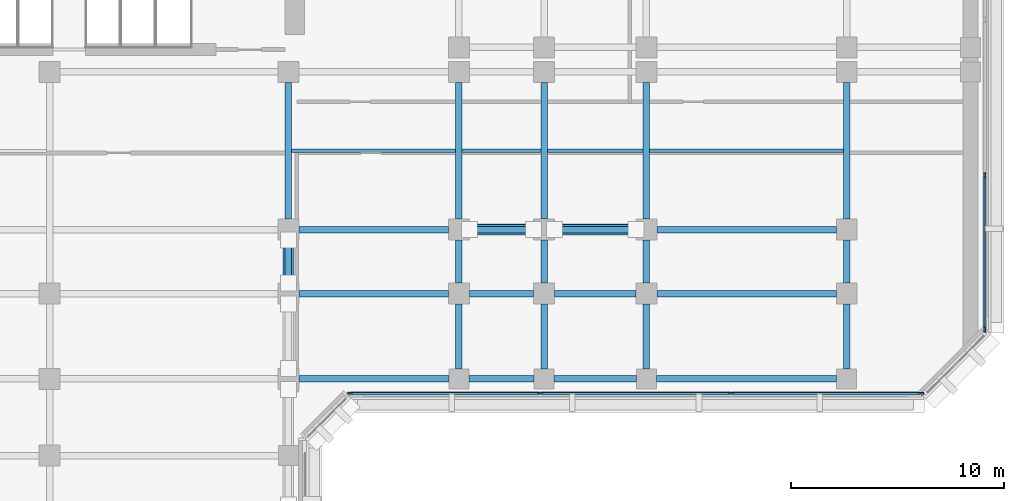
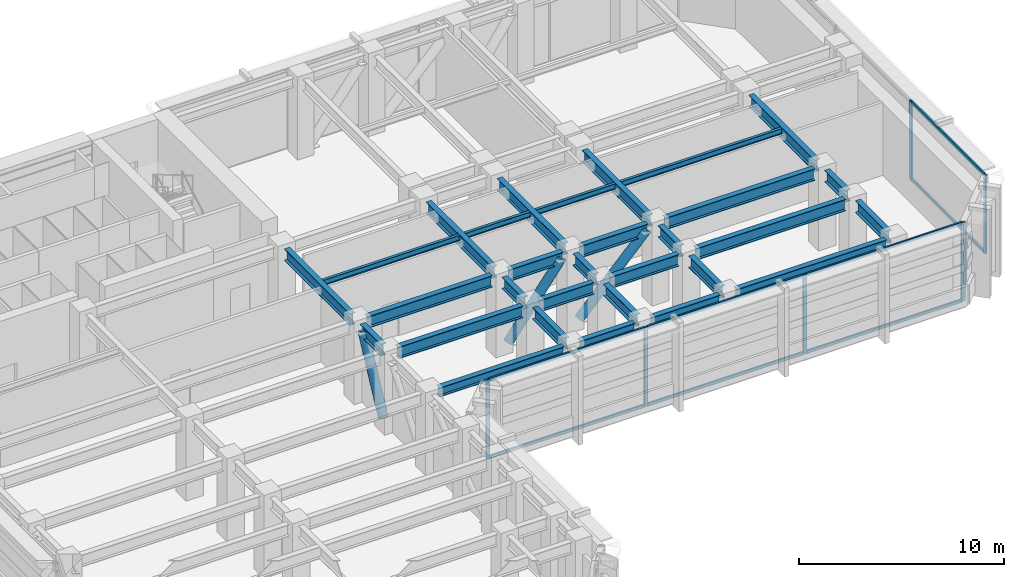
# One storey, part 3 of 13: 30 beams, 17 members, 2 elements without a shape of their own.
"""IFC4 building model written with IfcOpenShell, lengths in metres."""

from ifc_helpers import new_model, si_unit, direction, frame, origin, origin_2d, place, context, subcontext, project, spatial, rectangle, hollow_circle, i_section, extrude, material, layer, layer_set, material_profile, profile_set, type_object, element, aggregate, save


model = new_model("IFC4")

# Units and contexts
model_context = context("Model", 3, precision=1e-05, world=origin(), true_north=direction((0.0, 1.0)))
body_context = subcontext(model_context, "Body", "Model", "MODEL_VIEW")
ifc_project = project(units=[si_unit("LENGTHUNIT", "METRE"), si_unit("AREAUNIT", "SQUARE_METRE"), si_unit("VOLUMEUNIT", "CUBIC_METRE"), si_unit("PLANEANGLEUNIT", "RADIAN"), si_unit("MASSUNIT", "GRAM", prefix="KILO")], contexts=[model_context])

# Site, building, storey
site_placement = place(None, origin())
site = spatial("IfcSite", under=ifc_project, at=site_placement, CompositionType="ELEMENT")
building_placement = place(site_placement, origin())
building = spatial("IfcBuilding", under=site, at=building_placement, Name="Kefirva Bronze Tower", CompositionType="ELEMENT")
storey_placement = place(building_placement, frame((0.0, 0.0, 93.719970703125)))
storey = spatial("IfcBuildingStorey", under=building, at=storey_placement, Name="L22", CompositionType="ELEMENT", Elevation=93.719970703125)

# Curtain wall, members
ifc_material_1 = material(Name="Bronze anodised aluminium", Category="aluminium")
ifc_layer = layer(ifc_material_1, 0.219970703125, Name="Bronze anodised aluminium")
ifc_layer_set = layer_set([ifc_layer], Name="Bronze anodised aluminium")
curtain_wall_type = type_object("IfcCurtainWallType", Name="Refuge Acoustic Louvre Curtain Screen", PredefinedType="USERDEFINED", material=ifc_layer_set)
curtain_wall_1_placement = place(storey_placement, origin())
curtain_wall_1 = element("IfcCurtainWall", 1, at=curtain_wall_1_placement, inside=storey, type_object=curtain_wall_type, Name="L22 Curtain Wall 2", ObjectType="LOUVRE SCREEN WALL", PredefinedType="USERDEFINED")
ifc_material_profile_1 = material_profile(ifc_material_1, rectangle(XDim=0.090087890625, YDim=0.219970703125, at=origin_2d()), Name="ALU 90x220")
ifc_profile_set_1 = profile_set([ifc_material_profile_1], Name="Bronze anodised aluminium")
member_type_1 = type_object("IfcMemberType", Name="Bronze Mullion 90x220", PredefinedType="MULLION", material=ifc_profile_set_1)
member_1_placement = place(storey_placement, frame((26.10009765625, 18.1201171875, 0.0), z_axis=(0.0, 0.0, 1.0), x_axis=(0.0, 1.0, 0.0)))
member_1 = element("IfcMember", 2, at=member_1_placement, type_object=member_type_1, Name="CW-06 mullion 1", PredefinedType="MULLION", context=body_context, shape_type="SweptSolid", body=[
    extrude(rectangle(XDim=0.090087890625, YDim=0.219970703125, at=origin_2d()), origin(), (0.0, 0.0, 1.0), 4.699951171875),
])
member_2_placement = place(storey_placement, frame((35.018310546875, 18.1201171875, 0.0), z_axis=(0.0, 0.0, 1.0), x_axis=(0.0, 1.0, 0.0)))
member_2 = element("IfcMember", 3, at=member_2_placement, type_object=member_type_1, Name="CW-06 mullion 2", PredefinedType="MULLION", context=body_context, shape_type="SweptSolid", body=[
    extrude(rectangle(XDim=0.090087890625, YDim=0.219970703125, at=origin_2d()), origin(), (0.0, 0.0, 1.0), 4.699951171875),
])
member_3_placement = place(storey_placement, frame((43.981689453125, 18.1201171875, 0.0), z_axis=(0.0, 0.0, 1.0), x_axis=(0.0, 1.0, 0.0)))
member_3 = element("IfcMember", 4, at=member_3_placement, type_object=member_type_1, Name="CW-06 mullion 3", PredefinedType="MULLION", context=body_context, shape_type="SweptSolid", body=[
    extrude(rectangle(XDim=0.090087890625, YDim=0.219970703125, at=origin_2d()), origin(), (0.0, 0.0, 1.0), 4.699951171875),
])
member_4_placement = place(storey_placement, frame((52.89990234375, 18.1201171875, 0.0), z_axis=(0.0, 0.0, 1.0), x_axis=(0.0, 1.0, 0.0)))
member_4 = element("IfcMember", 5, at=member_4_placement, type_object=member_type_1, Name="CW-06 mullion 4", PredefinedType="MULLION", context=body_context, shape_type="SweptSolid", body=[
    extrude(rectangle(XDim=0.090087890625, YDim=0.219970703125, at=origin_2d()), origin(), (0.0, 0.0, 1.0), 4.699951171875),
])

curtain_wall_2_placement = place(storey_placement, origin())
curtain_wall_2 = element("IfcCurtainWall", 6, at=curtain_wall_2_placement, inside=storey, type_object=curtain_wall_type, Name="L22 Curtain Wall 3", ObjectType="LOUVRE SCREEN WALL", PredefinedType="USERDEFINED")
member_5_placement = place(storey_placement, frame((55.8798828125, 21.10009765625, 0.0), z_axis=(0.0, 0.0, 1.0), x_axis=(-1.0, 0.0, 0.0)))
member_5 = element("IfcMember", 7, at=member_5_placement, type_object=member_type_1, Name="CW-06 mullion 1", PredefinedType="MULLION", context=body_context, shape_type="SweptSolid", body=[
    extrude(rectangle(XDim=0.090087890625, YDim=0.219970703125, at=origin_2d()), origin(), (0.0, 0.0, 1.0), 4.699951171875),
])
member_6_placement = place(storey_placement, frame((55.8798828125, 28.3515625, 0.0), z_axis=(0.0, 0.0, 1.0), x_axis=(-1.0, 0.0, 0.0)))
member_6 = element("IfcMember", 8, at=member_6_placement, type_object=member_type_1, Name="CW-06 mullion 2", PredefinedType="MULLION", context=body_context, shape_type="SweptSolid", body=[
    extrude(rectangle(XDim=0.090087890625, YDim=0.219970703125, at=origin_2d()), origin(), (0.0, 0.0, 1.0), 4.699951171875),
])

# Member
ifc_material_profile_2 = material_profile(ifc_material_1, rectangle(XDim=0.090087890625, YDim=0.179931640625, at=origin_2d()), Name="ALU 90x180")
ifc_profile_set_2 = profile_set([ifc_material_profile_2], Name="Bronze anodised aluminium")
member_type_2 = type_object("IfcMemberType", Name="Bronze Transom 90x180", PredefinedType="USERDEFINED", material=ifc_profile_set_2)
member_7_placement = place(storey_placement, frame((26.14501953125, 18.1201171875, 0.044921875), z_axis=(1.0, 0.0, 0.0), x_axis=(0.0, 1.0, 0.0)))
member_7 = element("IfcMember", 9, at=member_7_placement, type_object=member_type_2, Name="CW-06 transom 1.1", ObjectType="TRANSOM", PredefinedType="USERDEFINED", context=body_context, shape_type="SweptSolid", body=[
    extrude(rectangle(XDim=0.090087890625, YDim=0.179931640625, at=origin_2d()), origin(), (0.0, 0.0, 1.0), 8.828369140625),
])

member_8_placement = place(storey_placement, frame((26.14501953125, 18.1201171875, 4.655029296875), z_axis=(1.0, 0.0, 0.0), x_axis=(0.0, 1.0, 0.0)))
member_8 = element("IfcMember", 10, at=member_8_placement, type_object=member_type_2, Name="CW-06 transom 1.2", ObjectType="TRANSOM", PredefinedType="USERDEFINED", context=body_context, shape_type="SweptSolid", body=[
    extrude(rectangle(XDim=0.090087890625, YDim=0.179931640625, at=origin_2d()), origin(), (0.0, 0.0, 1.0), 8.828369140625),
])

member_9_placement = place(storey_placement, frame((35.063232421875, 18.1201171875, 0.044921875), z_axis=(1.0, 0.0, 0.0), x_axis=(0.0, 1.0, 0.0)))
member_9 = element("IfcMember", 11, at=member_9_placement, type_object=member_type_2, Name="CW-06 transom 2.1", ObjectType="TRANSOM", PredefinedType="USERDEFINED", context=body_context, shape_type="SweptSolid", body=[
    extrude(rectangle(XDim=0.090087890625, YDim=0.179931640625, at=origin_2d()), origin(), (0.0, 0.0, 1.0), 8.87353515625),
])

member_10_placement = place(storey_placement, frame((35.063232421875, 18.1201171875, 4.655029296875), z_axis=(1.0, 0.0, 0.0), x_axis=(0.0, 1.0, 0.0)))
member_10 = element("IfcMember", 12, at=member_10_placement, type_object=member_type_2, Name="CW-06 transom 2.2", ObjectType="TRANSOM", PredefinedType="USERDEFINED", context=body_context, shape_type="SweptSolid", body=[
    extrude(rectangle(XDim=0.090087890625, YDim=0.179931640625, at=origin_2d()), origin(), (0.0, 0.0, 1.0), 8.87353515625),
])

member_11_placement = place(storey_placement, frame((44.026611328125, 18.1201171875, 0.044921875), z_axis=(1.0, 0.0, 0.0), x_axis=(0.0, 1.0, 0.0)))
member_11 = element("IfcMember", 13, at=member_11_placement, type_object=member_type_2, Name="CW-06 transom 3.1", ObjectType="TRANSOM", PredefinedType="USERDEFINED", context=body_context, shape_type="SweptSolid", body=[
    extrude(rectangle(XDim=0.090087890625, YDim=0.179931640625, at=origin_2d()), origin(), (0.0, 0.0, 1.0), 8.828369140625),
])

member_12_placement = place(storey_placement, frame((44.026611328125, 18.1201171875, 4.655029296875), z_axis=(1.0, 0.0, 0.0), x_axis=(0.0, 1.0, 0.0)))
member_12 = element("IfcMember", 14, at=member_12_placement, type_object=member_type_2, Name="CW-06 transom 3.2", ObjectType="TRANSOM", PredefinedType="USERDEFINED", context=body_context, shape_type="SweptSolid", body=[
    extrude(rectangle(XDim=0.090087890625, YDim=0.179931640625, at=origin_2d()), origin(), (0.0, 0.0, 1.0), 8.828369140625),
])

aggregate(curtain_wall_1, [member_1, member_2, member_3, member_4, member_7, member_8, member_9, member_10, member_11, member_12])

member_13_placement = place(storey_placement, frame((55.8798828125, 21.14501953125, 0.044921875), z_axis=(0.0, 1.0, 0.0), x_axis=(-1.0, 0.0, 0.0)))
member_13 = element("IfcMember", 15, at=member_13_placement, type_object=member_type_2, Name="CW-06 transom 1.1", ObjectType="TRANSOM", PredefinedType="USERDEFINED", context=body_context, shape_type="SweptSolid", body=[
    extrude(rectangle(XDim=0.090087890625, YDim=0.179931640625, at=origin_2d()), origin(), (0.0, 0.0, 1.0), 7.16162109375),
])

member_14_placement = place(storey_placement, frame((55.8798828125, 21.14501953125, 4.655029296875), z_axis=(0.0, 1.0, 0.0), x_axis=(-1.0, 0.0, 0.0)))
member_14 = element("IfcMember", 16, at=member_14_placement, type_object=member_type_2, Name="CW-06 transom 1.2", ObjectType="TRANSOM", PredefinedType="USERDEFINED", context=body_context, shape_type="SweptSolid", body=[
    extrude(rectangle(XDim=0.090087890625, YDim=0.179931640625, at=origin_2d()), origin(), (0.0, 0.0, 1.0), 7.16162109375),
])

aggregate(curtain_wall_2, [member_5, member_6, member_13, member_14])

# Members
ifc_material_2 = material(Name="Steel S460", Category="steel")
ifc_material_profile_3 = material_profile(ifc_material_2, hollow_circle(Radius=0.25390625, WallThickness=0.02001953125, at=origin_2d()), Name="CHS 508x20")
ifc_profile_set_3 = profile_set([ifc_material_profile_3], Name="Steel S460")
member_type_3 = type_object("IfcMemberType", Name="Steel Belt Brace CHS 508x20", PredefinedType="BRACE", material=ifc_profile_set_3)
member_15_placement = place(storey_placement, frame((23.199951171875, 23.2900390625, 0.300048828125), z_axis=(0.0, 0.450784044164, 0.8926330408), x_axis=(-1.0, 0.0, 0.0)))
element("IfcMember", 17, at=member_15_placement, inside=storey, type_object=member_type_3, Name="L22 Outrigger Belt Brace 7", PredefinedType="BRACE", context=body_context, shape_type="SweptSolid", body=[
    extrude(hollow_circle(Radius=0.25390625, WallThickness=0.02001953125, at=origin_2d()), origin(), (0.0, 0.0, 1.0), 4.481201171875),
])
member_16_placement = place(storey_placement, frame((31.68994140625, 25.800048828125, 0.300048828125), z_axis=(0.602553282453, 0.0, 0.798078656403), x_axis=(0.0, 1.0, 0.0)))
element("IfcMember", 18, at=member_16_placement, inside=storey, type_object=member_type_3, Name="L22 Outrigger Belt Brace 8", PredefinedType="BRACE", context=body_context, shape_type="SweptSolid", body=[
    extrude(hollow_circle(Radius=0.25390625, WallThickness=0.02001953125, at=origin_2d()), origin(), (0.0, 0.0, 1.0), 5.011962890625),
])
member_17_placement = place(storey_placement, frame((35.68994140625, 25.800048828125, 0.300048828125), z_axis=(0.690654193291, 0.0, 0.723185166669), x_axis=(0.0, 1.0, 0.0)))
element("IfcMember", 19, at=member_17_placement, inside=storey, type_object=member_type_3, Name="L22 Outrigger Belt Brace 9", PredefinedType="BRACE", context=body_context, shape_type="SweptSolid", body=[
    extrude(hollow_circle(Radius=0.25390625, WallThickness=0.02001953125, at=origin_2d()), origin(), (0.0, 0.0, 1.0), 5.531005859375),
])

# Beams
ifc_material_3 = material(Name="Steel S355", Category="steel")
ifc_material_profile_4 = material_profile(ifc_material_3, i_section(OverallWidth=0.159912109375, OverallDepth=0.330078125, WebThickness=0.007568359375, FlangeThickness=0.011474609375, at=origin_2d()), Name="IPE 330")
ifc_profile_set_4 = profile_set([ifc_material_profile_4], Name="Steel S355")
beam_type_1 = type_object("IfcBeamType", Name="Steel Floor Joist IPE 330", PredefinedType="JOIST", material=ifc_profile_set_4)
beam_1_placement = place(storey_placement, frame((23.35009765625, 29.5, 4.534912109375), z_axis=(1.0, 0.0, 0.0), x_axis=(0.0, 1.0, 0.0)))
element("IfcBeam", 20, at=beam_1_placement, inside=storey, type_object=beam_type_1, Name="L22 JST-L22-23-295", PredefinedType="JOIST", context=body_context, shape_type="SweptSolid", body=[
    extrude(i_section(OverallWidth=0.159912109375, OverallDepth=0.330078125, WebThickness=0.007568359375, FlangeThickness=0.011474609375, at=origin_2d()), origin(), (0.0, 0.0, 1.0), 7.699951171875),
])
beam_2_placement = place(storey_placement, frame((31.35009765625, 29.5, 4.534912109375), z_axis=(1.0, 0.0, 0.0), x_axis=(0.0, 1.0, 0.0)))
element("IfcBeam", 21, at=beam_2_placement, inside=storey, type_object=beam_type_1, Name="L22 JST-L22-31-295", PredefinedType="JOIST", context=body_context, shape_type="SweptSolid", body=[
    extrude(i_section(OverallWidth=0.159912109375, OverallDepth=0.330078125, WebThickness=0.007568359375, FlangeThickness=0.011474609375, at=origin_2d()), origin(), (0.0, 0.0, 1.0), 3.699951171875),
])
beam_3_placement = place(storey_placement, frame((35.35009765625, 29.5, 4.534912109375), z_axis=(1.0, 0.0, 0.0), x_axis=(0.0, 1.0, 0.0)))
element("IfcBeam", 22, at=beam_3_placement, inside=storey, type_object=beam_type_1, Name="L22 JST-L22-35-295", PredefinedType="JOIST", context=body_context, shape_type="SweptSolid", body=[
    extrude(i_section(OverallWidth=0.159912109375, OverallDepth=0.330078125, WebThickness=0.007568359375, FlangeThickness=0.011474609375, at=origin_2d()), origin(), (0.0, 0.0, 1.0), 4.5),
])
beam_4_placement = place(storey_placement, frame((40.14990234375, 29.5, 4.534912109375), z_axis=(1.0, 0.0, 0.0), x_axis=(0.0, 1.0, 0.0)))
element("IfcBeam", 23, at=beam_4_placement, inside=storey, type_object=beam_type_1, Name="L22 JST-L22-40-295", PredefinedType="JOIST", context=body_context, shape_type="SweptSolid", body=[
    extrude(i_section(OverallWidth=0.159912109375, OverallDepth=0.330078125, WebThickness=0.007568359375, FlangeThickness=0.011474609375, at=origin_2d()), origin(), (0.0, 0.0, 1.0), 9.10009765625),
])
ifc_material_profile_5 = material_profile(ifc_material_3, i_section(OverallWidth=0.300048828125, OverallDepth=0.699951171875, WebThickness=0.01708984375, FlangeThickness=0.031982421875, at=origin_2d()), Name="HEB 700")
ifc_profile_set_5 = profile_set([ifc_material_profile_5], Name="Steel S355")
beam_type_2 = type_object("IfcBeamType", Name="Steel Girder HEB 700", PredefinedType="USERDEFINED", material=ifc_profile_set_5)
beam_5_placement = place(storey_placement, frame((23.68994140625, 22.800048828125, 4.35009765625), z_axis=(1.0, 0.0, 0.0), x_axis=(0.0, 1.0, 0.0)))
element("IfcBeam", 24, at=beam_5_placement, inside=storey, type_object=beam_type_2, Name="L22 BM-L22-EW-23-228", ObjectType="GIRDER", PredefinedType="USERDEFINED", context=body_context, shape_type="SweptSolid", body=[
    extrude(i_section(OverallWidth=0.300048828125, OverallDepth=0.699951171875, WebThickness=0.01708984375, FlangeThickness=0.031982421875, at=origin_2d()), origin(), (0.0, 0.0, 1.0), 7.02001953125),
])
beam_6_placement = place(storey_placement, frame((31.68994140625, 22.800048828125, 4.35009765625), z_axis=(1.0, 0.0, 0.0), x_axis=(0.0, 1.0, 0.0)))
element("IfcBeam", 25, at=beam_6_placement, inside=storey, type_object=beam_type_2, Name="L22 BM-L22-EW-31-228", ObjectType="GIRDER", PredefinedType="USERDEFINED", context=body_context, shape_type="SweptSolid", body=[
    extrude(i_section(OverallWidth=0.300048828125, OverallDepth=0.699951171875, WebThickness=0.01708984375, FlangeThickness=0.031982421875, at=origin_2d()), origin(), (0.0, 0.0, 1.0), 3.02001953125),
])
beam_7_placement = place(storey_placement, frame((35.68994140625, 22.800048828125, 4.35009765625), z_axis=(1.0, 0.0, 0.0), x_axis=(0.0, 1.0, 0.0)))
element("IfcBeam", 26, at=beam_7_placement, inside=storey, type_object=beam_type_2, Name="L22 BM-L22-EW-35-228", ObjectType="GIRDER", PredefinedType="USERDEFINED", context=body_context, shape_type="SweptSolid", body=[
    extrude(i_section(OverallWidth=0.300048828125, OverallDepth=0.699951171875, WebThickness=0.01708984375, FlangeThickness=0.031982421875, at=origin_2d()), origin(), (0.0, 0.0, 1.0), 3.820068359375),
])
beam_8_placement = place(storey_placement, frame((40.489990234375, 22.800048828125, 4.35009765625), z_axis=(1.0, 0.0, 0.0), x_axis=(0.0, 1.0, 0.0)))
element("IfcBeam", 27, at=beam_8_placement, inside=storey, type_object=beam_type_2, Name="L22 BM-L22-EW-40-228", ObjectType="GIRDER", PredefinedType="USERDEFINED", context=body_context, shape_type="SweptSolid", body=[
    extrude(i_section(OverallWidth=0.300048828125, OverallDepth=0.699951171875, WebThickness=0.01708984375, FlangeThickness=0.031982421875, at=origin_2d()), origin(), (0.0, 0.0, 1.0), 8.419921875),
])
beam_9_placement = place(storey_placement, frame((23.68994140625, 25.800048828125, 4.35009765625), z_axis=(1.0, 0.0, 0.0), x_axis=(0.0, 1.0, 0.0)))
element("IfcBeam", 28, at=beam_9_placement, inside=storey, type_object=beam_type_2, Name="L22 BM-L22-EW-23-258", ObjectType="GIRDER", PredefinedType="USERDEFINED", context=body_context, shape_type="SweptSolid", body=[
    extrude(i_section(OverallWidth=0.300048828125, OverallDepth=0.699951171875, WebThickness=0.01708984375, FlangeThickness=0.031982421875, at=origin_2d()), origin(), (0.0, 0.0, 1.0), 7.02001953125),
])
beam_10_placement = place(storey_placement, frame((31.68994140625, 25.800048828125, 4.35009765625), z_axis=(1.0, 0.0, 0.0), x_axis=(0.0, 1.0, 0.0)))
element("IfcBeam", 29, at=beam_10_placement, inside=storey, type_object=beam_type_2, Name="L22 BM-L22-EW-31-258", ObjectType="GIRDER", PredefinedType="USERDEFINED", context=body_context, shape_type="SweptSolid", body=[
    extrude(i_section(OverallWidth=0.300048828125, OverallDepth=0.699951171875, WebThickness=0.01708984375, FlangeThickness=0.031982421875, at=origin_2d()), origin(), (0.0, 0.0, 1.0), 3.02001953125),
])
beam_11_placement = place(storey_placement, frame((35.68994140625, 25.800048828125, 4.35009765625), z_axis=(1.0, 0.0, 0.0), x_axis=(0.0, 1.0, 0.0)))
element("IfcBeam", 30, at=beam_11_placement, inside=storey, type_object=beam_type_2, Name="L22 BM-L22-EW-35-258", ObjectType="GIRDER", PredefinedType="USERDEFINED", context=body_context, shape_type="SweptSolid", body=[
    extrude(i_section(OverallWidth=0.300048828125, OverallDepth=0.699951171875, WebThickness=0.01708984375, FlangeThickness=0.031982421875, at=origin_2d()), origin(), (0.0, 0.0, 1.0), 3.820068359375),
])
beam_12_placement = place(storey_placement, frame((40.489990234375, 25.800048828125, 4.35009765625), z_axis=(1.0, 0.0, 0.0), x_axis=(0.0, 1.0, 0.0)))
element("IfcBeam", 31, at=beam_12_placement, inside=storey, type_object=beam_type_2, Name="L22 BM-L22-EW-40-258", ObjectType="GIRDER", PredefinedType="USERDEFINED", context=body_context, shape_type="SweptSolid", body=[
    extrude(i_section(OverallWidth=0.300048828125, OverallDepth=0.699951171875, WebThickness=0.01708984375, FlangeThickness=0.031982421875, at=origin_2d()), origin(), (0.0, 0.0, 1.0), 8.419921875),
])
beam_13_placement = place(storey_placement, frame((23.199951171875, 23.2900390625, 4.35009765625), z_axis=(0.0, 1.0, 0.0), x_axis=(-1.0, 0.0, 0.0)))
element("IfcBeam", 32, at=beam_13_placement, inside=storey, type_object=beam_type_2, Name="L22 BM-L22-NS-232-22", ObjectType="GIRDER", PredefinedType="USERDEFINED", context=body_context, shape_type="SweptSolid", body=[
    extrude(i_section(OverallWidth=0.300048828125, OverallDepth=0.699951171875, WebThickness=0.01708984375, FlangeThickness=0.031982421875, at=origin_2d()), origin(), (0.0, 0.0, 1.0), 2.02001953125),
])
beam_14_placement = place(storey_placement, frame((23.199951171875, 26.2900390625, 4.35009765625), z_axis=(0.0, 1.0, 0.0), x_axis=(-1.0, 0.0, 0.0)))
element("IfcBeam", 33, at=beam_14_placement, inside=storey, type_object=beam_type_2, Name="L22 BM-L22-NS-232-25", ObjectType="GIRDER", PredefinedType="USERDEFINED", context=body_context, shape_type="SweptSolid", body=[
    extrude(i_section(OverallWidth=0.300048828125, OverallDepth=0.699951171875, WebThickness=0.01708984375, FlangeThickness=0.031982421875, at=origin_2d()), origin(), (0.0, 0.0, 1.0), 6.419921875),
])
beam_15_placement = place(storey_placement, frame((31.199951171875, 19.27001953125, 4.35009765625), z_axis=(0.0, 1.0, 0.0), x_axis=(-1.0, 0.0, 0.0)))
element("IfcBeam", 34, at=beam_15_placement, inside=storey, type_object=beam_type_2, Name="L22 BM-L22-NS-312-18", ObjectType="GIRDER", PredefinedType="USERDEFINED", context=body_context, shape_type="SweptSolid", body=[
    extrude(i_section(OverallWidth=0.300048828125, OverallDepth=0.699951171875, WebThickness=0.01708984375, FlangeThickness=0.031982421875, at=origin_2d()), origin(), (0.0, 0.0, 1.0), 3.0400390625),
])
beam_16_placement = place(storey_placement, frame((31.199951171875, 23.2900390625, 4.35009765625), z_axis=(0.0, 1.0, 0.0), x_axis=(-1.0, 0.0, 0.0)))
element("IfcBeam", 35, at=beam_16_placement, inside=storey, type_object=beam_type_2, Name="L22 BM-L22-NS-312-22", ObjectType="GIRDER", PredefinedType="USERDEFINED", context=body_context, shape_type="SweptSolid", body=[
    extrude(i_section(OverallWidth=0.300048828125, OverallDepth=0.699951171875, WebThickness=0.01708984375, FlangeThickness=0.031982421875, at=origin_2d()), origin(), (0.0, 0.0, 1.0), 2.02001953125),
])
beam_17_placement = place(storey_placement, frame((31.199951171875, 26.2900390625, 4.35009765625), z_axis=(0.0, 1.0, 0.0), x_axis=(-1.0, 0.0, 0.0)))
element("IfcBeam", 36, at=beam_17_placement, inside=storey, type_object=beam_type_2, Name="L22 BM-L22-NS-312-25", ObjectType="GIRDER", PredefinedType="USERDEFINED", context=body_context, shape_type="SweptSolid", body=[
    extrude(i_section(OverallWidth=0.300048828125, OverallDepth=0.699951171875, WebThickness=0.01708984375, FlangeThickness=0.031982421875, at=origin_2d()), origin(), (0.0, 0.0, 1.0), 6.419921875),
])
beam_18_placement = place(storey_placement, frame((35.199951171875, 19.27001953125, 4.35009765625), z_axis=(0.0, 1.0, 0.0), x_axis=(-1.0, 0.0, 0.0)))
element("IfcBeam", 37, at=beam_18_placement, inside=storey, type_object=beam_type_2, Name="L22 BM-L22-NS-352-18", ObjectType="GIRDER", PredefinedType="USERDEFINED", context=body_context, shape_type="SweptSolid", body=[
    extrude(i_section(OverallWidth=0.300048828125, OverallDepth=0.699951171875, WebThickness=0.01708984375, FlangeThickness=0.031982421875, at=origin_2d()), origin(), (0.0, 0.0, 1.0), 3.0400390625),
])
beam_19_placement = place(storey_placement, frame((35.199951171875, 23.2900390625, 4.35009765625), z_axis=(0.0, 1.0, 0.0), x_axis=(-1.0, 0.0, 0.0)))
element("IfcBeam", 38, at=beam_19_placement, inside=storey, type_object=beam_type_2, Name="L22 BM-L22-NS-352-22", ObjectType="GIRDER", PredefinedType="USERDEFINED", context=body_context, shape_type="SweptSolid", body=[
    extrude(i_section(OverallWidth=0.300048828125, OverallDepth=0.699951171875, WebThickness=0.01708984375, FlangeThickness=0.031982421875, at=origin_2d()), origin(), (0.0, 0.0, 1.0), 2.02001953125),
])
beam_20_placement = place(storey_placement, frame((35.199951171875, 26.2900390625, 4.35009765625), z_axis=(0.0, 1.0, 0.0), x_axis=(-1.0, 0.0, 0.0)))
element("IfcBeam", 39, at=beam_20_placement, inside=storey, type_object=beam_type_2, Name="L22 BM-L22-NS-352-25", ObjectType="GIRDER", PredefinedType="USERDEFINED", context=body_context, shape_type="SweptSolid", body=[
    extrude(i_section(OverallWidth=0.300048828125, OverallDepth=0.699951171875, WebThickness=0.01708984375, FlangeThickness=0.031982421875, at=origin_2d()), origin(), (0.0, 0.0, 1.0), 6.419921875),
])
beam_21_placement = place(storey_placement, frame((40.0, 19.27001953125, 4.35009765625), z_axis=(0.0, 1.0, 0.0), x_axis=(-1.0, 0.0, 0.0)))
element("IfcBeam", 40, at=beam_21_placement, inside=storey, type_object=beam_type_2, Name="L22 BM-L22-NS-400-18", ObjectType="GIRDER", PredefinedType="USERDEFINED", context=body_context, shape_type="SweptSolid", body=[
    extrude(i_section(OverallWidth=0.300048828125, OverallDepth=0.699951171875, WebThickness=0.01708984375, FlangeThickness=0.031982421875, at=origin_2d()), origin(), (0.0, 0.0, 1.0), 3.0400390625),
])
beam_22_placement = place(storey_placement, frame((40.0, 23.2900390625, 4.35009765625), z_axis=(0.0, 1.0, 0.0), x_axis=(-1.0, 0.0, 0.0)))
element("IfcBeam", 41, at=beam_22_placement, inside=storey, type_object=beam_type_2, Name="L22 BM-L22-NS-400-22", ObjectType="GIRDER", PredefinedType="USERDEFINED", context=body_context, shape_type="SweptSolid", body=[
    extrude(i_section(OverallWidth=0.300048828125, OverallDepth=0.699951171875, WebThickness=0.01708984375, FlangeThickness=0.031982421875, at=origin_2d()), origin(), (0.0, 0.0, 1.0), 2.02001953125),
])
beam_23_placement = place(storey_placement, frame((40.0, 26.2900390625, 4.35009765625), z_axis=(0.0, 1.0, 0.0), x_axis=(-1.0, 0.0, 0.0)))
element("IfcBeam", 42, at=beam_23_placement, inside=storey, type_object=beam_type_2, Name="L22 BM-L22-NS-400-25", ObjectType="GIRDER", PredefinedType="USERDEFINED", context=body_context, shape_type="SweptSolid", body=[
    extrude(i_section(OverallWidth=0.300048828125, OverallDepth=0.699951171875, WebThickness=0.01708984375, FlangeThickness=0.031982421875, at=origin_2d()), origin(), (0.0, 0.0, 1.0), 6.419921875),
])
beam_24_placement = place(storey_placement, frame((49.39990234375, 19.27001953125, 4.35009765625), z_axis=(0.0, 1.0, 0.0), x_axis=(-1.0, 0.0, 0.0)))
element("IfcBeam", 43, at=beam_24_placement, inside=storey, type_object=beam_type_2, Name="L22 BM-L22-NS-494-18", ObjectType="GIRDER", PredefinedType="USERDEFINED", context=body_context, shape_type="SweptSolid", body=[
    extrude(i_section(OverallWidth=0.300048828125, OverallDepth=0.699951171875, WebThickness=0.01708984375, FlangeThickness=0.031982421875, at=origin_2d()), origin(), (0.0, 0.0, 1.0), 3.0400390625),
])
beam_25_placement = place(storey_placement, frame((49.39990234375, 23.2900390625, 4.35009765625), z_axis=(0.0, 1.0, 0.0), x_axis=(-1.0, 0.0, 0.0)))
element("IfcBeam", 44, at=beam_25_placement, inside=storey, type_object=beam_type_2, Name="L22 BM-L22-NS-494-22", ObjectType="GIRDER", PredefinedType="USERDEFINED", context=body_context, shape_type="SweptSolid", body=[
    extrude(i_section(OverallWidth=0.300048828125, OverallDepth=0.699951171875, WebThickness=0.01708984375, FlangeThickness=0.031982421875, at=origin_2d()), origin(), (0.0, 0.0, 1.0), 2.02001953125),
])
beam_26_placement = place(storey_placement, frame((49.39990234375, 26.2900390625, 4.35009765625), z_axis=(0.0, 1.0, 0.0), x_axis=(-1.0, 0.0, 0.0)))
element("IfcBeam", 45, at=beam_26_placement, inside=storey, type_object=beam_type_2, Name="L22 BM-L22-NS-494-25", ObjectType="GIRDER", PredefinedType="USERDEFINED", context=body_context, shape_type="SweptSolid", body=[
    extrude(i_section(OverallWidth=0.300048828125, OverallDepth=0.699951171875, WebThickness=0.01708984375, FlangeThickness=0.031982421875, at=origin_2d()), origin(), (0.0, 0.0, 1.0), 6.419921875),
])
ifc_material_profile_6 = material_profile(ifc_material_3, i_section(OverallWidth=0.300048828125, OverallDepth=0.550048828125, WebThickness=0.014892578125, FlangeThickness=0.029052734375, at=origin_2d()), Name="HEB 550")
ifc_profile_set_6 = profile_set([ifc_material_profile_6], Name="Steel S355")
beam_type_3 = type_object("IfcBeamType", Name="Steel Spandrel HEB 550 Ext", PredefinedType="SPANDREL", material=ifc_profile_set_6)
beam_27_placement = place(storey_placement, frame((23.68994140625, 18.800048828125, 4.425048828125), z_axis=(1.0, 0.0, 0.0), x_axis=(0.0, 1.0, 0.0)))
element("IfcBeam", 46, at=beam_27_placement, inside=storey, type_object=beam_type_3, Name="L22 BM-L22-EW-23-188", PredefinedType="SPANDREL", context=body_context, shape_type="SweptSolid", body=[
    extrude(i_section(OverallWidth=0.300048828125, OverallDepth=0.550048828125, WebThickness=0.014892578125, FlangeThickness=0.029052734375, at=origin_2d()), origin(), (0.0, 0.0, 1.0), 7.0400390625),
])
beam_28_placement = place(storey_placement, frame((31.669921875, 18.800048828125, 4.425048828125), z_axis=(1.0, 0.0, 0.0), x_axis=(0.0, 1.0, 0.0)))
element("IfcBeam", 47, at=beam_28_placement, inside=storey, type_object=beam_type_3, Name="L22 BM-L22-EW-31-188", PredefinedType="SPANDREL", context=body_context, shape_type="SweptSolid", body=[
    extrude(i_section(OverallWidth=0.300048828125, OverallDepth=0.550048828125, WebThickness=0.014892578125, FlangeThickness=0.029052734375, at=origin_2d()), origin(), (0.0, 0.0, 1.0), 3.06005859375),
])
beam_29_placement = place(storey_placement, frame((35.669921875, 18.800048828125, 4.425048828125), z_axis=(1.0, 0.0, 0.0), x_axis=(0.0, 1.0, 0.0)))
element("IfcBeam", 48, at=beam_29_placement, inside=storey, type_object=beam_type_3, Name="L22 BM-L22-EW-35-188", PredefinedType="SPANDREL", context=body_context, shape_type="SweptSolid", body=[
    extrude(i_section(OverallWidth=0.300048828125, OverallDepth=0.550048828125, WebThickness=0.014892578125, FlangeThickness=0.029052734375, at=origin_2d()), origin(), (0.0, 0.0, 1.0), 3.860107421875),
])
beam_30_placement = place(storey_placement, frame((40.469970703125, 18.800048828125, 4.425048828125), z_axis=(1.0, 0.0, 0.0), x_axis=(0.0, 1.0, 0.0)))
element("IfcBeam", 49, at=beam_30_placement, inside=storey, type_object=beam_type_3, Name="L22 BM-L22-EW-40-188", PredefinedType="SPANDREL", context=body_context, shape_type="SweptSolid", body=[
    extrude(i_section(OverallWidth=0.300048828125, OverallDepth=0.550048828125, WebThickness=0.014892578125, FlangeThickness=0.029052734375, at=origin_2d()), origin(), (0.0, 0.0, 1.0), 8.4599609375),
])

save(model, "model.ifc")
